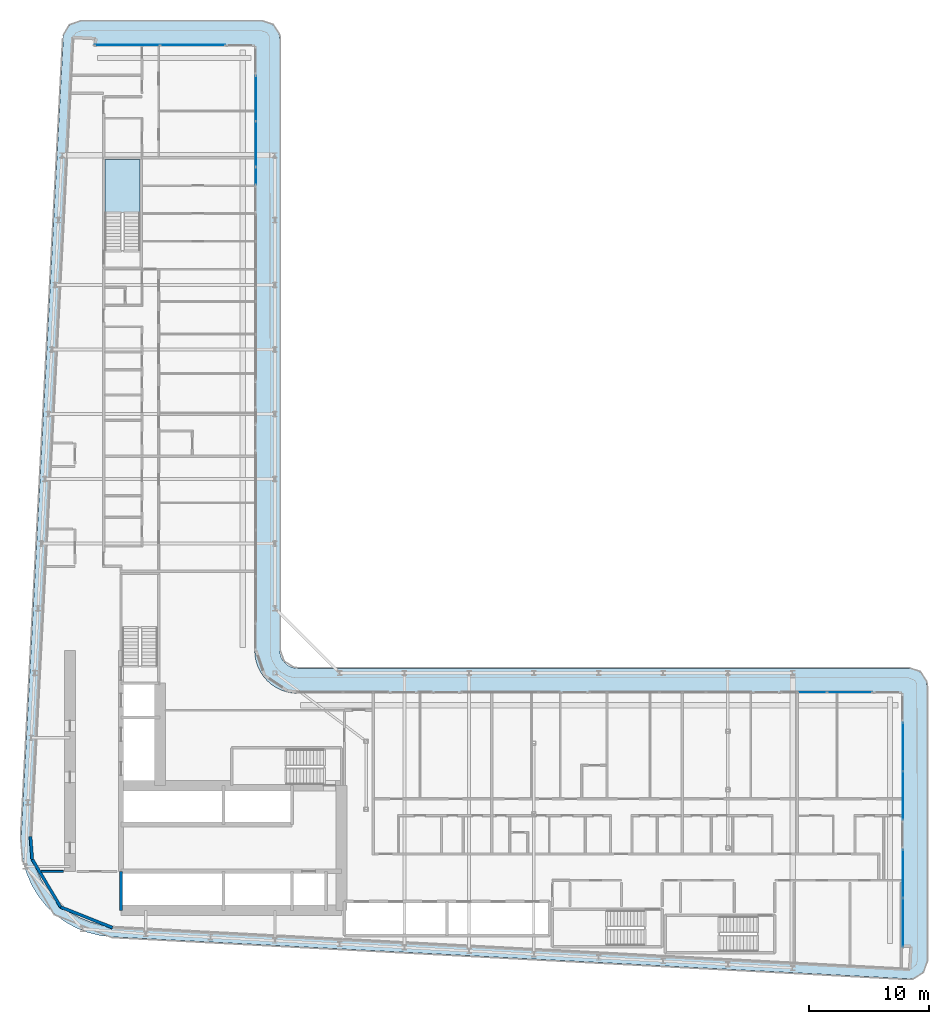
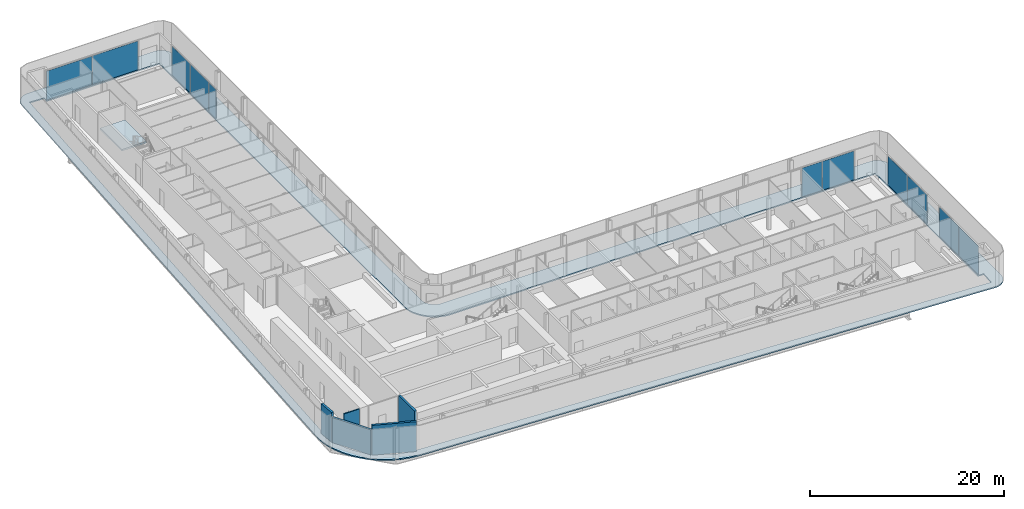
# One storey, part 12 of 28: 11 plates, 5 walls, 2 slabs, 7 elements without a shape of their own.
"""IFC4 building model written with IfcOpenShell, lengths in metres."""

import ifcopenshell
import ifcopenshell.guid

model = None  # the IFC model being written
_history = None  # IfcOwnerHistory: only IFC2X3 demands one
_inside = {}  # id of a spatial element -> (the spatial element, [elements in it])
_under = {}  # id of a project, library or spatial element -> (it, [spatial elements below it])
_declared = {}  # id of a project -> (the project, [libraries it declares])
_typed = {}  # id of a type object -> (the type object, [elements of that type])
_made_of = {}  # id of a material, layer set ... -> (it, [elements and type objects made of it])


def new_model(schema):
    """Start an empty IFC model of exactly this schema.

    Asked for "IFC4X3", IfcOpenShell would pick the latest addendum, in which some entities
    have other attributes; the version numbers below select the first issue.
    IFC2X3 requires an IfcOwnerHistory on every rooted entity: one is made here for all.
    """
    global model, _history
    if schema == "IFC4X3":
        model = ifcopenshell.file(schema_version=(4, 3, 0, 0))
    else:
        model = ifcopenshell.file(schema=schema)
    _inside.clear()
    _under.clear()
    _declared.clear()
    _typed.clear()
    _made_of.clear()
    _history = None
    if model.schema == "IFC2X3":
        org = make("IfcOrganization", Name="unknown")
        user = make(
            "IfcPersonAndOrganization",
            ThePerson=make("IfcPerson", FamilyName="unknown"),
            TheOrganization=org,
        )
        app = make(
            "IfcApplication",
            ApplicationDeveloper=org,
            Version="unknown",
            ApplicationFullName="unknown",
            ApplicationIdentifier="unknown",
        )
        _history = make(
            "IfcOwnerHistory",
            OwningUser=user,
            OwningApplication=app,
            ChangeAction="ADDED",
            CreationDate=0,
        )
    return model


def make(cls, **values):
    """One entity of the class cls with the attributes given. An attribute that is None is left unset."""
    return model.create_entity(
        cls, **{name: value for name, value in values.items() if value is not None}
    )


def rooted(cls, **values):
    """An entity with a GlobalId (a new one), such as an element, a storey or a relation."""
    return make(cls, GlobalId=ifcopenshell.guid.new(), OwnerHistory=_history, **values)


def si_unit(unit_type, name, prefix=None):
    """IfcSIUnit, for example si_unit("LENGTHUNIT", "METRE", prefix="MILLI")."""
    return make("IfcSIUnit", UnitType=unit_type, Prefix=prefix, Name=name)


def assignment(units):
    """IfcUnitAssignment: the units of a project."""
    return None if units is None else make("IfcUnitAssignment", Units=units)


def point(xyz):
    """IfcCartesianPoint."""
    return None if xyz is None else make("IfcCartesianPoint", Coordinates=xyz)


def direction(xyz):
    """IfcDirection."""
    return None if xyz is None else make("IfcDirection", DirectionRatios=xyz)


def frame(location, z_axis=None, x_axis=None):
    """IfcAxis2Placement3D, a coordinate frame: its origin and axes. An axis left out is left unset."""
    return make(
        "IfcAxis2Placement3D",
        Location=point(location),
        Axis=direction(z_axis),
        RefDirection=direction(x_axis),
    )


def frame_2d(location, x_axis=None):
    """IfcAxis2Placement2D, a coordinate frame in the plane: its origin and x axis."""
    return make(
        "IfcAxis2Placement2D", Location=point(location), RefDirection=direction(x_axis)
    )


def origin():
    """The frame at (0, 0, 0) with its axes left unset."""
    return frame((0.0, 0.0, 0.0))


def origin_2d():
    """The frame at (0, 0) in the plane with its x axis left unset."""
    return frame_2d((0.0, 0.0))


def place(relative_to, where):
    """IfcLocalPlacement: puts the frame where relative to a parent placement (None: the world)."""
    return make(
        "IfcLocalPlacement", PlacementRelTo=relative_to, RelativePlacement=where
    )


def context(
    kind, dimensions, precision=None, world=None, true_north=None, identifier=None
):
    """IfcGeometricRepresentationContext, for example the 3D "Model" context."""
    return make(
        "IfcGeometricRepresentationContext",
        ContextIdentifier=identifier,
        ContextType=kind,
        CoordinateSpaceDimension=dimensions,
        Precision=precision,
        WorldCoordinateSystem=world,
        TrueNorth=true_north,
    )


def subcontext(parent, identifier, kind, view, scale=None):
    """IfcGeometricRepresentationSubContext, for example "Body" below "Model"."""
    return make(
        "IfcGeometricRepresentationSubContext",
        ContextIdentifier=identifier,
        ContextType=kind,
        ParentContext=parent,
        TargetScale=scale,
        TargetView=view,
    )


def project(units=None, contexts=None):
    """IfcProject with its units and contexts."""
    return rooted(
        "IfcProject",
        Name="project",
        RepresentationContexts=contexts,
        UnitsInContext=assignment(units),
    )


def spatial(cls, under=None, at=None, **own):
    """A site, building, storey or space (cls), placed at a placement, below another one or the project."""
    s = rooted(cls, ObjectPlacement=at, **own)
    if under is not None:
        _under.setdefault(under.id(), (under, []))[1].append(s)
    return s


def polyline(points):
    """IfcPolyline through the points."""
    return make("IfcPolyline", Points=[point(p) for p in points])


def profile(cls, at=None, kind="AREA", **sizes):
    """A parametric profile (cls). Its sizes go by their IFC names, for example OverallWidth=200.0."""
    return make(cls, ProfileType=kind, Position=at, **sizes)


def rectangle(**sizes):
    """IfcRectangleProfileDef."""
    return profile("IfcRectangleProfileDef", **sizes)


def outline(outer, holes=None, kind="AREA"):
    """IfcArbitraryClosedProfileDef: a profile drawn as a closed curve; with holes, ...WithVoids."""
    if holes is None:
        return make("IfcArbitraryClosedProfileDef", ProfileType=kind, OuterCurve=outer)
    return make(
        "IfcArbitraryProfileDefWithVoids",
        ProfileType=kind,
        OuterCurve=outer,
        InnerCurves=holes,
    )


def extrude(swept, where, along, depth):
    """IfcExtrudedAreaSolid: the profile swept, set in the frame where, extruded along a direction by depth."""
    return make(
        "IfcExtrudedAreaSolid",
        SweptArea=swept,
        Position=where,
        ExtrudedDirection=direction(along),
        Depth=depth,
    )


def shape(context_of_items, identifier, shape_type, items):
    """IfcShapeRepresentation: the items that make up one representation, for example the "Body"."""
    return make(
        "IfcShapeRepresentation",
        ContextOfItems=context_of_items,
        RepresentationIdentifier=identifier,
        RepresentationType=shape_type,
        Items=items,
    )


def material(Name=None, Category=None):
    """IfcMaterial."""
    return make("IfcMaterial", Name=Name, Category=Category)


def layer(
    of_material, thickness, ventilated=None, Name=None, Category=None, Priority=None
):
    """IfcMaterialLayer: one layer of a wall or slab, of a material (None: an air gap)."""
    return make(
        "IfcMaterialLayer",
        Material=of_material,
        LayerThickness=thickness,
        IsVentilated=ventilated,
        Name=Name,
        Category=Category,
        Priority=Priority,
    )


def layer_set(layers, Name=None):
    """IfcMaterialLayerSet."""
    return make("IfcMaterialLayerSet", MaterialLayers=layers, LayerSetName=Name)


def made_of(thing, what):
    """Note that an element or type object is made of a material, layer set ...; save() writes the relation."""
    if what is not None:
        _made_of.setdefault(what.id(), (what, []))[1].append(thing)
    return thing


def type_object(cls, material=None, **own):
    """A type object (cls), such as IfcWallType, which elements share."""
    return made_of(rooted(cls, **own), material)


def element(
    cls,
    number,
    at=None,
    inside=None,
    cuts=None,
    type_object=None,
    material=None,
    context=None,
    identifier="Body",
    shape_type=None,
    held_by="IfcProductDefinitionShape",
    body=None,
    shapes=None,
    **own,
):
    """One element of the class cls, such as IfcWall. Its Tag is "e" and its number.

    at: its placement. inside: the storey or other place that contains it. cuts: it is an
    opening in that element (IfcRelVoidsElement). A single representation is given by context,
    identifier, shape_type and body (its items); several are given by shapes. held_by: the class
    of the entity that holds the representations. save() writes the other relations.
    """
    e = rooted(cls, Tag="e%d" % number, ObjectPlacement=at, **own)
    if body is not None:
        shapes = [shape(context, identifier, shape_type, body)]
    if shapes is not None:
        e.Representation = make(held_by, Representations=shapes)
    if inside is not None:
        _inside.setdefault(inside.id(), (inside, []))[1].append(e)
    if cuts is not None:
        rooted(
            "IfcRelVoidsElement", RelatingBuildingElement=cuts, RelatedOpeningElement=e
        )
    if type_object is not None:
        _typed.setdefault(type_object.id(), (type_object, []))[1].append(e)
    return made_of(e, material)


def aggregate(whole, parts):
    """IfcRelAggregates: a whole, such as a stair, and the parts it consists of."""
    return rooted("IfcRelAggregates", RelatingObject=whole, RelatedObjects=parts)


def save(model, path):
    """Write the relations noted so far, then the file.

    IfcRelAggregates (storeys below a building ...), IfcRelContainedInSpatialStructure (elements
    in a storey), IfcRelDefinesByType, IfcRelAssociatesMaterial and IfcRelDeclares: one each for
    every whole, place, type object, material and project.
    """
    for whole, parts in _under.values():
        aggregate(whole, parts)
    for where, things in _inside.values():
        rooted(
            "IfcRelContainedInSpatialStructure",
            RelatedElements=things,
            RelatingStructure=where,
        )
    for kind, things in _typed.values():
        rooted("IfcRelDefinesByType", RelatedObjects=things, RelatingType=kind)
    for what, things in _made_of.values():
        rooted("IfcRelAssociatesMaterial", RelatedObjects=things, RelatingMaterial=what)
    for by, libraries in _declared.values():
        rooted("IfcRelDeclares", RelatingContext=by, RelatedDefinitions=libraries)
    model.write(path)


model = new_model("IFC4")

# Units and contexts
model_context = context("Model", 3, precision=1e-05, world=origin(), true_north=direction((0.0, 1.0)))
body_context = subcontext(model_context, "Body", "Model", "MODEL_VIEW")
ifc_project = project(units=[si_unit("LENGTHUNIT", "METRE"), si_unit("AREAUNIT", "SQUARE_METRE"), si_unit("VOLUMEUNIT", "CUBIC_METRE"), si_unit("PLANEANGLEUNIT", "RADIAN"), si_unit("MASSUNIT", "GRAM", prefix="KILO")], contexts=[model_context])

# Site, building, storey
site_placement = place(None, origin())
site = spatial("IfcSite", under=ifc_project, at=site_placement, CompositionType="ELEMENT")
building_placement = place(site_placement, origin())
building = spatial("IfcBuilding", under=site, at=building_placement, Name="Kheshtan School and Residences Tower", CompositionType="ELEMENT")
storey_placement = place(building_placement, frame((0.0, 0.0, 129.199951171875)))
storey = spatial("IfcBuildingStorey", under=building, at=storey_placement, Name="L30", CompositionType="ELEMENT", Elevation=129.199951171875)

# Curtain wall, plates
ifc_material_1 = material(Name="Clear low-e glass in thermally broken aluminium frame", Category="aluminium")
ifc_layer_1 = layer(ifc_material_1, 0.199951171875)
ifc_layer_set_1 = layer_set([ifc_layer_1], Name="Curtain wall CW-L")
curtain_wall_type = type_object("IfcCurtainWallType", Name="Curtain wall CW-L", PredefinedType="NOTDEFINED", material=ifc_layer_set_1)
curtain_wall_1_placement = place(storey_placement, origin())
curtain_wall_1 = element("IfcCurtainWall", 1, at=curtain_wall_1_placement, inside=storey, type_object=curtain_wall_type, Name="Curtain wall CWL7", PredefinedType="NOTDEFINED")
ifc_layer_2 = layer(ifc_material_1, 0.031982421875)
ifc_layer_set_2 = layer_set([ifc_layer_2], Name="CW-L glass panel")
plate_type = type_object("IfcPlateType", Name="CW-L glass panel", PredefinedType="CURTAIN_PANEL", material=ifc_layer_set_2)
plate_1_placement = place(storey_placement, frame((35.259033203125, 98.0, 0.0), z_axis=(0.0, 0.0, 1.0), x_axis=(1.0, 0.0, 0.0)))
plate_1 = element("IfcPlate", 2, at=plate_1_placement, type_object=plate_type, Name="CWL7 panel 1.1", PredefinedType="CURTAIN_PANEL", context=body_context, shape_type="SweptSolid", body=[
    extrude(rectangle(XDim=5.4140625, YDim=0.031982421875, at=origin_2d()), origin(), (0.0, 0.0, 1.0), 3.6298828125),
])
plate_2_placement = place(storey_placement, frame((40.73291015625, 98.0, 0.0), z_axis=(0.0, 0.0, 1.0), x_axis=(1.0, 0.0, 0.0)))
plate_2 = element("IfcPlate", 3, at=plate_2_placement, type_object=plate_type, Name="CWL7 panel 2.1", PredefinedType="CURTAIN_PANEL", context=body_context, shape_type="SweptSolid", body=[
    extrude(rectangle(XDim=5.4140625, YDim=0.031982421875, at=origin_2d()), origin(), (0.0, 0.0, 1.0), 3.6298828125),
])
aggregate(curtain_wall_1, [plate_1, plate_2])

curtain_wall_2_placement = place(storey_placement, origin())
curtain_wall_2 = element("IfcCurtainWall", 4, at=curtain_wall_2_placement, inside=storey, type_object=curtain_wall_type, Name="Curtain wall CWL8", PredefinedType="NOTDEFINED")
plate_3_placement = place(storey_placement, frame((46.0, 93.5615234375, 0.0), z_axis=(0.0, 0.0, 1.0), x_axis=(0.0, -1.0, 0.0)))
plate_3 = element("IfcPlate", 5, at=plate_3_placement, type_object=plate_type, Name="CWL8 panel 1.1", PredefinedType="CURTAIN_PANEL", context=body_context, shape_type="SweptSolid", body=[
    extrude(rectangle(XDim=3.757080078125, YDim=0.031982421875, at=origin_2d()), origin(), (0.0, 0.0, 1.0), 3.6298828125),
])
plate_4_placement = place(storey_placement, frame((46.0, 89.744384765625, 0.0), z_axis=(0.0, 0.0, 1.0), x_axis=(0.0, -1.0, 0.0)))
plate_4 = element("IfcPlate", 6, at=plate_4_placement, type_object=plate_type, Name="CWL8 panel 2.1", PredefinedType="CURTAIN_PANEL", context=body_context, shape_type="SweptSolid", body=[
    extrude(rectangle(XDim=3.757080078125, YDim=0.031982421875, at=origin_2d()), origin(), (0.0, 0.0, 1.0), 3.6298828125),
])
aggregate(curtain_wall_2, [plate_3, plate_4])

# Curtain wall, plate
curtain_wall_3_placement = place(storey_placement, origin())
curtain_wall_3 = element("IfcCurtainWall", 7, at=curtain_wall_3_placement, inside=storey, type_object=curtain_wall_type, Name="Curtain wall CWL8a", PredefinedType="NOTDEFINED")
plate_5_placement = place(storey_placement, frame((46.0, 87.0859375, 0.0), z_axis=(0.0, 0.0, 1.0), x_axis=(0.0, -1.0, 0.0)))
plate_5 = element("IfcPlate", 8, at=plate_5_placement, type_object=plate_type, Name="CWL8a panel 1.1", PredefinedType="CURTAIN_PANEL", context=body_context, shape_type="SweptSolid", body=[
    extrude(rectangle(XDim=1.43994140625, YDim=0.031982421875, at=origin_2d()), origin(), (0.0, 0.0, 1.0), 3.6298828125),
])
aggregate(curtain_wall_3, [plate_5])

# Curtain wall, plates
curtain_wall_4_placement = place(storey_placement, origin())
curtain_wall_4 = element("IfcCurtainWall", 9, at=curtain_wall_4_placement, inside=storey, type_object=curtain_wall_type, Name="Curtain wall CWL12k", PredefinedType="NOTDEFINED")
plate_6_placement = place(storey_placement, frame((92.426513671875, 44.0, 0.0), z_axis=(0.0, 0.0, 1.0), x_axis=(1.0, 0.0, 0.0)))
plate_6 = element("IfcPlate", 10, at=plate_6_placement, type_object=plate_type, Name="CWL12k panel 2.1", PredefinedType="CURTAIN_PANEL", context=body_context, shape_type="SweptSolid", body=[
    extrude(rectangle(XDim=2.39306640625, YDim=0.031982421875, at=origin_2d()), origin(), (0.0, 0.0, 1.0), 3.6298828125),
])
plate_7_placement = place(storey_placement, frame((95.5615234375, 44.0, 0.0), z_axis=(0.0, 0.0, 1.0), x_axis=(1.0, 0.0, 0.0)))
plate_7 = element("IfcPlate", 11, at=plate_7_placement, type_object=plate_type, Name="CWL12k panel 3.1", PredefinedType="CURTAIN_PANEL", context=body_context, shape_type="SweptSolid", body=[
    extrude(rectangle(XDim=3.757080078125, YDim=0.031982421875, at=origin_2d()), origin(), (0.0, 0.0, 1.0), 3.6298828125),
])
aggregate(curtain_wall_4, [plate_6, plate_7])

curtain_wall_5_placement = place(storey_placement, origin())
curtain_wall_5 = element("IfcCurtainWall", 12, at=curtain_wall_5_placement, inside=storey, type_object=curtain_wall_type, Name="Curtain wall CWL13b", PredefinedType="NOTDEFINED")
plate_8_placement = place(storey_placement, frame((100.0, 39.436767578125, 0.0), z_axis=(0.0, 0.0, 1.0), x_axis=(0.0, -1.0, 0.0)))
plate_8 = element("IfcPlate", 13, at=plate_8_placement, type_object=plate_type, Name="CWL13b panel 1.1", PredefinedType="CURTAIN_PANEL", context=body_context, shape_type="SweptSolid", body=[
    extrude(rectangle(XDim=4.006591796875, YDim=0.031982421875, at=origin_2d()), origin(), (0.0, 0.0, 1.0), 3.6298828125),
])
plate_9_placement = place(storey_placement, frame((100.0, 35.370361328125, 0.0), z_axis=(0.0, 0.0, 1.0), x_axis=(0.0, -1.0, 0.0)))
plate_9 = element("IfcPlate", 14, at=plate_9_placement, type_object=plate_type, Name="CWL13b panel 2.1", PredefinedType="CURTAIN_PANEL", context=body_context, shape_type="SweptSolid", body=[
    extrude(rectangle(XDim=4.006591796875, YDim=0.031982421875, at=origin_2d()), origin(), (0.0, 0.0, 1.0), 3.6298828125),
])
aggregate(curtain_wall_5, [plate_8, plate_9])

curtain_wall_6_placement = place(storey_placement, origin())
curtain_wall_6 = element("IfcCurtainWall", 15, at=curtain_wall_6_placement, inside=storey, type_object=curtain_wall_type, Name="Curtain wall CWL13b", PredefinedType="NOTDEFINED")
plate_10_placement = place(storey_placement, frame((100.0, 28.84375, 0.0), z_axis=(0.0, 0.0, 1.0), x_axis=(0.0, -1.0, 0.0)))
plate_10 = element("IfcPlate", 16, at=plate_10_placement, type_object=plate_type, Name="CWL13b panel 1.1", PredefinedType="CURTAIN_PANEL", context=body_context, shape_type="SweptSolid", body=[
    extrude(rectangle(XDim=4.006591796875, YDim=0.031982421875, at=origin_2d()), origin(), (0.0, 0.0, 1.0), 3.6298828125),
])
plate_11_placement = place(storey_placement, frame((100.0, 24.77734375, 0.0), z_axis=(0.0, 0.0, 1.0), x_axis=(0.0, -1.0, 0.0)))
plate_11 = element("IfcPlate", 17, at=plate_11_placement, type_object=plate_type, Name="CWL13b panel 2.1", PredefinedType="CURTAIN_PANEL", context=body_context, shape_type="SweptSolid", body=[
    extrude(rectangle(XDim=4.006591796875, YDim=0.031982421875, at=origin_2d()), origin(), (0.0, 0.0, 1.0), 3.6298828125),
])
aggregate(curtain_wall_6, [plate_10, plate_11])

# Slab
ifc_material_2 = material(Name="Concrete C40/50", Category="concrete")
ifc_layer_3 = layer(ifc_material_2, 0.14990234375)
ifc_layer_set_3 = layer_set([ifc_layer_3], Name="Loggia balcony slab 150 Concrete C40/50")
slab_type_1 = type_object("IfcSlabType", Name="Loggia balcony slab 150 Concrete C40/50", PredefinedType="FLOOR", material=ifc_layer_set_3)
slab_1_placement = place(storey_placement, frame((0.0, 0.0, -0.14990234375)))
element("IfcSlab", 18, at=slab_1_placement, inside=storey, type_object=slab_type_1, Name="Loggia balcony slab L30", PredefinedType="FLOOR", context=body_context, shape_type="SweptSolid", body=[
    extrude(outline(polyline([(28.4580078125, 26.222900390625), (28.45703125, 26.222900390625), (28.45703125, 26.22412109375), (28.4560546875, 26.22412109375), (27.81494140625, 27.0390625), (27.281005859375, 27.93798828125), (26.867919921875, 28.89990234375), (26.583984375, 29.89990234375), (26.583984375, 29.906982421875), (26.43408203125, 30.943115234375), (26.419921875, 31.989013671875), (29.925048828125, 98.5791015625), (29.930908203125, 98.626953125), (29.930908203125, 98.6279296875), (29.929931640625, 98.6279296875), (29.929931640625, 98.62890625), (29.928955078125, 98.62890625), (29.928955078125, 98.6298828125), (29.927978515625, 98.6298828125), (29.927978515625, 98.631103515625), (29.927001953125, 98.631103515625), (29.927001953125, 98.632080078125), (29.927001953125, 98.633056640625), (29.945068359375, 98.781005859375), (29.945068359375, 98.783935546875), (29.945068359375, 98.784912109375), (29.946044921875, 98.784912109375), (29.946044921875, 98.785888671875), (29.947021484375, 98.785888671875), (29.947021484375, 98.787109375), (29.947998046875, 98.787109375), (29.948974609375, 98.787109375), (29.948974609375, 98.7880859375), (29.949951171875, 98.7880859375), (29.949951171875, 98.7890625), (29.949951171875, 98.791015625), (30.0029296875, 98.98388671875), (30.083984375, 99.175048828125), (30.18896484375, 99.35302734375), (30.31103515625, 99.507080078125), (30.31201171875, 99.507080078125), (30.31201171875, 99.508056640625), (30.31298828125, 99.508056640625), (30.31298828125, 99.509033203125), (30.31396484375, 99.509033203125), (30.31396484375, 99.510009765625), (30.31494140625, 99.510009765625), (30.31494140625, 99.510986328125), (30.31591796875, 99.510986328125), (30.31591796875, 99.511962890625), (30.31689453125, 99.511962890625), (30.31689453125, 99.512939453125), (30.318115234375, 99.512939453125), (30.320068359375, 99.512939453125), (30.321044921875, 99.512939453125), (30.321044921875, 99.513916015625), (30.468017578125, 99.656982421875), (30.468994140625, 99.656982421875), (30.468994140625, 99.657958984375), (30.469970703125, 99.657958984375), (30.469970703125, 99.658935546875), (30.470947265625, 99.658935546875), (30.470947265625, 99.659912109375), (30.471923828125, 99.659912109375), (30.471923828125, 99.660888671875), (30.472900390625, 99.660888671875), (30.472900390625, 99.662109375), (30.47412109375, 99.662109375), (30.47412109375, 99.6630859375), (30.47509765625, 99.6630859375), (30.47509765625, 99.6640625), (30.635986328125, 99.777099609375), (30.820068359375, 99.873046875), (31.007080078125, 99.943115234375), (31.013916015625, 99.943115234375), (31.217041015625, 99.986083984375), (31.423095703125, 100.0), (46.5, 100.0), (46.696044921875, 99.987060546875), (46.887939453125, 99.948974609375), (46.89501953125, 99.948974609375), (47.073974609375, 99.885986328125), (47.243896484375, 99.801025390625), (47.2451171875, 99.801025390625), (47.2470703125, 99.801025390625), (47.248046875, 99.801025390625), (47.248046875, 99.802001953125), (47.2490234375, 99.802001953125), (47.2490234375, 99.802978515625), (47.25, 99.802978515625), (47.2529296875, 99.802978515625), (47.25390625, 99.802978515625), (47.25390625, 99.802001953125), (47.2548828125, 99.802001953125), (47.2548828125, 99.801025390625), (47.256103515625, 99.801025390625), (47.256103515625, 99.800048828125), (47.257080078125, 99.800048828125), (47.257080078125, 99.799072265625), (47.258056640625, 99.799072265625), (47.258056640625, 99.798095703125), (47.412109375, 99.696044921875), (47.4130859375, 99.696044921875), (47.4130859375, 99.695068359375), (47.4140625, 99.695068359375), (47.4140625, 99.694091796875), (47.4140625, 99.68994140625), (47.4140625, 99.68896484375), (47.4150390625, 99.68896484375), (47.4150390625, 99.68798828125), (47.416015625, 99.68798828125), (47.416015625, 99.68701171875), (47.4169921875, 99.68701171875), (47.4169921875, 99.68603515625), (47.554931640625, 99.568115234375), (47.554931640625, 99.56689453125), (47.555908203125, 99.56689453125), (47.555908203125, 99.56591796875), (47.556884765625, 99.56591796875), (47.556884765625, 99.56494140625), (47.55810546875, 99.56494140625), (47.55810546875, 99.56396484375), (47.55908203125, 99.56396484375), (47.55908203125, 99.56298828125), (47.56005859375, 99.56298828125), (47.56005859375, 99.56201171875), (47.56103515625, 99.56201171875), (47.56201171875, 99.56103515625), (47.56201171875, 99.56005859375), (47.56298828125, 99.56005859375), (47.56298828125, 99.55908203125), (47.56396484375, 99.55908203125), (47.56396484375, 99.55810546875), (47.56494140625, 99.55810546875), (47.56494140625, 99.556884765625), (47.56591796875, 99.556884765625), (47.56591796875, 99.555908203125), (47.56689453125, 99.555908203125), (47.56689453125, 99.554931640625), (47.568115234375, 99.554931640625), (47.68505859375, 99.41796875), (47.68603515625, 99.41796875), (47.68603515625, 99.4169921875), (47.68701171875, 99.4169921875), (47.68701171875, 99.416015625), (47.68798828125, 99.416015625), (47.68798828125, 99.4150390625), (47.68896484375, 99.4150390625), (47.68896484375, 99.4140625), (47.68994140625, 99.4140625), (47.694091796875, 99.4140625), (47.695068359375, 99.4140625), (47.695068359375, 99.4130859375), (47.696044921875, 99.4130859375), (47.696044921875, 99.412109375), (47.797119140625, 99.259033203125), (47.798095703125, 99.259033203125), (47.798095703125, 99.258056640625), (47.799072265625, 99.258056640625), (47.799072265625, 99.257080078125), (47.800048828125, 99.257080078125), (47.800048828125, 99.256103515625), (47.801025390625, 99.256103515625), (47.801025390625, 99.2548828125), (47.802001953125, 99.2548828125), (47.802001953125, 99.25390625), (47.802978515625, 99.25390625), (47.802978515625, 99.2529296875), (47.802978515625, 99.25), (47.802978515625, 99.2490234375), (47.802001953125, 99.2490234375), (47.802001953125, 99.248046875), (47.801025390625, 99.248046875), (47.801025390625, 99.2470703125), (47.801025390625, 99.243896484375), (47.801025390625, 99.242919921875), (47.885986328125, 99.073974609375), (47.948974609375, 98.89501953125), (47.948974609375, 98.887939453125), (47.987060546875, 98.696044921875), (48.0, 98.5), (48.0, 47.5), (48.012939453125, 47.303955078125), (48.051025390625, 47.113037109375), (48.051025390625, 47.10693359375), (48.051025390625, 47.10595703125), (48.114013671875, 46.926025390625), (48.200927734375, 46.75), (48.31005859375, 46.5869140625), (48.431884765625, 46.444091796875), (48.43310546875, 46.444091796875), (48.43310546875, 46.443115234375), (48.43408203125, 46.443115234375), (48.43408203125, 46.44189453125), (48.43505859375, 46.44189453125), (48.43505859375, 46.44091796875), (48.43603515625, 46.44091796875), (48.43603515625, 46.43994140625), (48.43701171875, 46.43994140625), (48.43701171875, 46.43896484375), (48.43798828125, 46.43896484375), (48.43896484375, 46.43798828125), (48.43896484375, 46.43701171875), (48.43994140625, 46.43701171875), (48.43994140625, 46.43603515625), (48.44091796875, 46.43603515625), (48.44091796875, 46.43505859375), (48.44189453125, 46.43505859375), (48.44189453125, 46.43408203125), (48.443115234375, 46.43408203125), (48.443115234375, 46.43310546875), (48.444091796875, 46.43310546875), (48.444091796875, 46.431884765625), (48.5869140625, 46.31005859375), (48.75, 46.200927734375), (48.926025390625, 46.114013671875), (49.10595703125, 46.051025390625), (49.10693359375, 46.051025390625), (49.113037109375, 46.051025390625), (49.303955078125, 46.012939453125), (49.5, 46.0), (100.5, 46.0), (100.696044921875, 45.987060546875), (100.887939453125, 45.948974609375), (100.89501953125, 45.948974609375), (101.073974609375, 45.885986328125), (101.241943359375, 45.801025390625), (101.242919921875, 45.801025390625), (101.2470703125, 45.801025390625), (101.248046875, 45.801025390625), (101.248046875, 45.802001953125), (101.2490234375, 45.802001953125), (101.2490234375, 45.802978515625), (101.25, 45.802978515625), (101.2529296875, 45.802978515625), (101.25390625, 45.802978515625), (101.25390625, 45.802001953125), (101.2548828125, 45.802001953125), (101.2548828125, 45.801025390625), (101.256103515625, 45.801025390625), (101.256103515625, 45.800048828125), (101.257080078125, 45.800048828125), (101.257080078125, 45.799072265625), (101.258056640625, 45.799072265625), (101.258056640625, 45.798095703125), (101.259033203125, 45.798095703125), (101.259033203125, 45.797119140625), (101.260009765625, 45.797119140625), (101.260009765625, 45.7958984375), (101.412109375, 45.696044921875), (101.4130859375, 45.696044921875), (101.4130859375, 45.695068359375), (101.4140625, 45.695068359375), (101.4140625, 45.694091796875), (101.4140625, 45.68994140625), (101.4140625, 45.68896484375), (101.4150390625, 45.68896484375), (101.4150390625, 45.68798828125), (101.416015625, 45.68798828125), (101.416015625, 45.68701171875), (101.4169921875, 45.68701171875), (101.4169921875, 45.68603515625), (101.41796875, 45.68603515625), (101.41796875, 45.68505859375), (101.4189453125, 45.68505859375), (101.4189453125, 45.68408203125), (101.554931640625, 45.568115234375), (101.554931640625, 45.56689453125), (101.555908203125, 45.56689453125), (101.555908203125, 45.56591796875), (101.556884765625, 45.56591796875), (101.556884765625, 45.56494140625), (101.55810546875, 45.56494140625), (101.55810546875, 45.56396484375), (101.55908203125, 45.56396484375), (101.55908203125, 45.56298828125), (101.56005859375, 45.56298828125), (101.56005859375, 45.56201171875), (101.56103515625, 45.56201171875), (101.56201171875, 45.56103515625), (101.56201171875, 45.56005859375), (101.56298828125, 45.56005859375), (101.56298828125, 45.55908203125), (101.56396484375, 45.55908203125), (101.56396484375, 45.55810546875), (101.56494140625, 45.55810546875), (101.56494140625, 45.556884765625), (101.56591796875, 45.556884765625), (101.56591796875, 45.555908203125), (101.56689453125, 45.555908203125), (101.56689453125, 45.554931640625), (101.568115234375, 45.554931640625), (101.681884765625, 45.4208984375), (101.68310546875, 45.4208984375), (101.68310546875, 45.419921875), (101.68408203125, 45.419921875), (101.68408203125, 45.4189453125), (101.68505859375, 45.4189453125), (101.68505859375, 45.41796875), (101.68603515625, 45.41796875), (101.68603515625, 45.4169921875), (101.68701171875, 45.4169921875), (101.68701171875, 45.416015625), (101.68798828125, 45.416015625), (101.68798828125, 45.4150390625), (101.68896484375, 45.4150390625), (101.68896484375, 45.4140625), (101.68994140625, 45.4140625), (101.694091796875, 45.4140625), (101.695068359375, 45.4140625), (101.695068359375, 45.4130859375), (101.696044921875, 45.4130859375), (101.696044921875, 45.412109375), (101.7939453125, 45.261962890625), (101.794921875, 45.261962890625), (101.794921875, 45.260986328125), (101.7958984375, 45.260986328125), (101.7958984375, 45.260009765625), (101.797119140625, 45.260009765625), (101.797119140625, 45.259033203125), (101.798095703125, 45.259033203125), (101.798095703125, 45.258056640625), (101.799072265625, 45.258056640625), (101.799072265625, 45.257080078125), (101.800048828125, 45.257080078125), (101.800048828125, 45.256103515625), (101.801025390625, 45.256103515625), (101.801025390625, 45.2548828125), (101.802001953125, 45.2548828125), (101.802001953125, 45.25390625), (101.802978515625, 45.25390625), (101.802978515625, 45.2529296875), (101.802978515625, 45.25), (101.802978515625, 45.2490234375), (101.802001953125, 45.2490234375), (101.802001953125, 45.248046875), (101.801025390625, 45.248046875), (101.801025390625, 45.2470703125), (101.801025390625, 45.240966796875), (101.801025390625, 45.239990234375), (101.885986328125, 45.073974609375), (101.948974609375, 44.89501953125), (101.948974609375, 44.887939453125), (101.987060546875, 44.696044921875), (102.0, 44.5), (102.0, 21.5810546875), (101.986083984375, 21.37890625), (101.945068359375, 21.179931640625), (101.945068359375, 21.173095703125), (101.8779296875, 20.989013671875), (101.785888671875, 20.80810546875), (101.6708984375, 20.64306640625), (101.6708984375, 20.64208984375), (101.6708984375, 20.64111328125), (101.6708984375, 20.639892578125), (101.672119140625, 20.639892578125), (101.672119140625, 20.638916015625), (101.672119140625, 20.636962890625), (101.672119140625, 20.635986328125), (101.6708984375, 20.635986328125), (101.6708984375, 20.635009765625), (101.5380859375, 20.491943359375), (101.534912109375, 20.489013671875), (101.533935546875, 20.489013671875), (101.533935546875, 20.488037109375), (101.532958984375, 20.488037109375), (101.531005859375, 20.488037109375), (101.530029296875, 20.488037109375), (101.530029296875, 20.489013671875), (101.529052734375, 20.489013671875), (101.528076171875, 20.489013671875), (101.527099609375, 20.489013671875), (101.3759765625, 20.364013671875), (101.2041015625, 20.256103515625), (101.01904296875, 20.174072265625), (100.8310546875, 20.116943359375), (100.823974609375, 20.116943359375), (100.6240234375, 20.0859375), (100.4208984375, 20.0830078125), (33.989013671875, 23.580078125), (33.94189453125, 23.5859375), (33.94091796875, 23.5859375), (33.93994140625, 23.5859375), (33.93994140625, 23.5849609375), (33.93896484375, 23.5849609375), (33.93896484375, 23.583984375), (33.93798828125, 23.583984375), (33.93798828125, 23.5830078125), (33.93701171875, 23.5830078125), (33.93701171875, 23.58203125), (33.93603515625, 23.58203125), (33.93505859375, 23.58203125), (32.952880859375, 23.697998046875), (32.949951171875, 23.697998046875), (32.948974609375, 23.697998046875), (32.948974609375, 23.698974609375), (32.947998046875, 23.698974609375), (32.947998046875, 23.699951171875), (32.947021484375, 23.699951171875), (32.947021484375, 23.700927734375), (32.947021484375, 23.702880859375), (32.947021484375, 23.7041015625), (32.946044921875, 23.7041015625), (32.946044921875, 23.705078125), (32.945068359375, 23.705078125), (32.944091796875, 23.705078125), (31.93603515625, 23.9609375), (31.928955078125, 23.9609375), (30.964111328125, 24.34912109375), (30.051025390625, 24.860107421875), (29.218994140625, 25.47900390625), (29.218994140625, 25.47998046875), (29.218017578125, 25.47998046875), (29.218017578125, 25.48095703125), (29.217041015625, 25.48095703125), (29.217041015625, 25.48193359375), (29.216064453125, 25.48193359375), (29.216064453125, 25.48291015625), (29.215087890625, 25.48291015625), (29.215087890625, 25.48388671875), (29.214111328125, 25.48388671875), (29.214111328125, 25.485107421875), (29.212890625, 25.485107421875), (29.212890625, 25.486083984375), (29.2119140625, 25.486083984375), (28.466064453125, 26.217041015625), (28.466064453125, 26.218017578125), (28.465087890625, 26.218017578125), (28.462890625, 26.218017578125), (28.4619140625, 26.218017578125), (28.4619140625, 26.218994140625), (28.4609375, 26.218994140625), (28.4609375, 26.219970703125), (28.4599609375, 26.219970703125), (28.4599609375, 26.220947265625), (28.458984375, 26.220947265625), (28.458984375, 26.221923828125), (28.4580078125, 26.221923828125), (28.4580078125, 26.222900390625)]), holes=[polyline([(29.12890625, 26.824951171875), (29.12890625, 26.823974609375), (29.1298828125, 26.823974609375), (29.1298828125, 26.822998046875), (29.131103515625, 26.822998046875), (29.131103515625, 26.822021484375), (29.132080078125, 26.822021484375), (29.132080078125, 26.821044921875), (29.133056640625, 26.821044921875), (29.133056640625, 26.820068359375), (29.134033203125, 26.820068359375), (29.7958984375, 26.173095703125), (29.7958984375, 26.172119140625), (29.797119140625, 26.172119140625), (29.798095703125, 26.172119140625), (29.799072265625, 26.172119140625), (29.799072265625, 26.1708984375), (29.800048828125, 26.1708984375), (29.800048828125, 26.169921875), (29.801025390625, 26.169921875), (29.801025390625, 26.1689453125), (29.802001953125, 26.1689453125), (29.802001953125, 26.16796875), (29.802978515625, 26.16796875), (29.802978515625, 26.1669921875), (29.803955078125, 26.1669921875), (29.803955078125, 26.166015625), (30.541015625, 25.616943359375), (31.35205078125, 25.1630859375), (32.208984375, 24.819091796875), (32.2099609375, 24.819091796875), (32.216064453125, 24.819091796875), (33.114990234375, 24.590087890625), (34.06591796875, 24.47705078125), (100.43798828125, 20.98291015625), (100.465087890625, 20.98388671875), (100.466064453125, 20.98388671875), (100.467041015625, 20.98388671875), (100.467041015625, 20.985107421875), (100.468017578125, 20.985107421875), (100.468017578125, 20.986083984375), (100.468017578125, 20.987060546875), (100.55810546875, 22.676025390625), (100.55810546875, 22.677001953125), (100.55810546875, 22.677978515625), (100.556884765625, 22.677978515625), (100.556884765625, 22.678955078125), (100.555908203125, 22.678955078125), (100.554931640625, 22.678955078125), (99.90087890625, 22.714111328125), (99.89990234375, 22.714111328125), (99.89990234375, 22.715087890625), (99.89990234375, 43.89794921875), (99.89990234375, 43.89892578125), (99.89892578125, 43.89892578125), (99.89892578125, 43.89990234375), (99.89794921875, 43.89990234375), (49.429931640625, 43.89990234375), (49.030029296875, 43.927001953125), (48.569091796875, 44.01806640625), (48.56201171875, 44.01806640625), (48.1201171875, 44.169921875), (47.697021484375, 44.37890625), (47.30810546875, 44.638916015625), (46.95703125, 44.944091796875), (46.95703125, 44.945068359375), (46.9560546875, 44.945068359375), (46.9560546875, 44.946044921875), (46.955078125, 44.946044921875), (46.955078125, 44.947021484375), (46.9541015625, 44.947021484375), (46.9541015625, 44.947998046875), (46.952880859375, 44.947998046875), (46.952880859375, 44.948974609375), (46.951904296875, 44.948974609375), (46.951904296875, 44.949951171875), (46.951904296875, 44.950927734375), (46.950927734375, 44.950927734375), (46.950927734375, 44.951904296875), (46.949951171875, 44.951904296875), (46.948974609375, 44.951904296875), (46.948974609375, 44.952880859375), (46.947998046875, 44.952880859375), (46.947998046875, 44.9541015625), (46.947021484375, 44.9541015625), (46.947021484375, 44.955078125), (46.946044921875, 44.955078125), (46.946044921875, 44.9560546875), (46.945068359375, 44.9560546875), (46.945068359375, 44.95703125), (46.944091796875, 44.95703125), (46.638916015625, 45.30810546875), (46.37890625, 45.697021484375), (46.169921875, 46.1201171875), (46.01806640625, 46.56201171875), (46.01806640625, 46.569091796875), (45.927001953125, 47.030029296875), (45.89990234375, 47.429931640625), (45.89990234375, 97.89794921875), (45.89990234375, 97.89892578125), (45.89892578125, 97.89892578125), (45.89892578125, 97.89990234375), (45.89794921875, 97.89990234375), (32.492919921875, 97.89990234375), (32.491943359375, 97.89990234375), (32.52099609375, 98.43896484375), (32.52099609375, 98.43994140625), (32.52099609375, 98.44091796875), (32.52001953125, 98.44091796875), (32.52001953125, 98.44189453125), (32.51904296875, 98.44189453125), (32.51806640625, 98.44189453125), (30.8291015625, 98.531982421875), (30.827880859375, 98.531982421875), (30.826904296875, 98.531982421875), (30.826904296875, 98.531005859375), (30.825927734375, 98.531005859375), (30.825927734375, 98.530029296875), (30.825927734375, 98.529052734375), (30.822021484375, 98.5009765625), (27.320068359375, 31.970947265625), (27.3330078125, 31.013916015625), (27.466064453125, 30.093994140625), (27.466064453125, 30.087890625), (27.466064453125, 30.0869140625), (27.718017578125, 29.200927734375), (28.0849609375, 28.345947265625), (28.55908203125, 27.550048828125), (29.126953125, 26.825927734375), (29.1279296875, 26.825927734375), (29.1279296875, 26.824951171875), (29.12890625, 26.824951171875)])]), origin(), (0.0, 0.0, 1.0), 0.14990234375),
])

# Stair, slab
stair_type = type_object("IfcStairType", Name="Exit stair, half-turn", PredefinedType="HALF_TURN_STAIR", material=ifc_material_2)
stair_placement = place(storey_placement, origin())
stair = element("IfcStair", 19, at=stair_placement, inside=storey, type_object=stair_type, Name="L30 Protected Exit Stair ST3", PredefinedType="HALF_TURN_STAIR")
ifc_layer_4 = layer(ifc_material_2, 0.199951171875)
ifc_layer_set_4 = layer_set([ifc_layer_4], Name="Stair landing 200 Concrete C40/50")
slab_type_2 = type_object("IfcSlabType", Name="Stair landing 200 Concrete C40/50", PredefinedType="LANDING", material=ifc_layer_set_4)
slab_2_placement = place(storey_placement, frame((0.0, 0.0, 1.75)))
slab_2 = element("IfcSlab", 20, at=slab_2_placement, type_object=slab_type_2, Name="ST3 landing 1", PredefinedType="LANDING", context=body_context, shape_type="SweptSolid", body=[
    extrude(outline(polyline([(36.35009765625, 83.97998046875), (36.35009765625, 88.4599609375), (33.39990234375, 88.4599609375), (33.39990234375, 83.97998046875), (36.35009765625, 83.97998046875)])), origin(), (0.0, 0.0, 1.0), 0.199951171875),
])
aggregate(stair, [slab_2])

# Walls
ifc_material_3 = material(Name="Concrete C40/50 with ceramic cladding and mineral wool insulation", Category="concrete")
ifc_layer_5 = layer(ifc_material_3, 0.25)
ifc_layer_set_5 = layer_set([ifc_layer_5], Name="External wall 250 ceramic clad")
wall_type_1 = type_object("IfcWallType", Name="External wall 250 ceramic clad", PredefinedType="SOLIDWALL", material=ifc_layer_set_5)
wall_1_placement = place(storey_placement, frame((34.0390625, 24.35302734375, 0.0), z_axis=(0.0, 0.0, 1.0), x_axis=(-0.929352825399, 0.369192803184, 0.0)))
element("IfcWall", 21, at=wall_1_placement, inside=storey, type_object=wall_type_1, Name="External wall L30 1", PredefinedType="SOLIDWALL", context=body_context, shape_type="SweptSolid", body=[
    extrude(rectangle(XDim=4.656005859375, YDim=0.25, at=frame_2d((2.328125, 0.0))), origin(), (0.0, 0.0, 1.0), 3.75),
])
wall_2_placement = place(storey_placement, frame((29.7119140625, 26.072021484375, 0.0), z_axis=(0.0, 0.0, 1.0), x_axis=(-0.511028049012, 0.859564036662, 0.0)))
element("IfcWall", 22, at=wall_2_placement, inside=storey, type_object=wall_type_1, Name="External wall L30 2", PredefinedType="SOLIDWALL", context=body_context, shape_type="SweptSolid", body=[
    extrude(rectangle(XDim=4.633544921875, YDim=0.25, at=frame_2d((2.31689453125, 0.0))), origin(), (0.0, 0.0, 1.0), 3.14697265625),
])
wall_3_placement = place(storey_placement, frame((27.343994140625, 30.054931640625, 0.0), z_axis=(0.0, 0.0, 1.0), x_axis=(-0.077571675317, 0.99698677784, 0.0)))
element("IfcWall", 23, at=wall_3_placement, inside=storey, type_object=wall_type_1, Name="External wall L30 3", PredefinedType="SOLIDWALL", context=body_context, shape_type="SweptSolid", body=[
    extrude(rectangle(XDim=1.919921875, YDim=0.25, at=frame_2d((0.9599609375, 0.0))), origin(), (0.0, 0.0, 1.0), 3.75),
])
ifc_material_4 = material(Name="Fire-board shaft wall system")
ifc_layer_6 = layer(ifc_material_4, 0.14990234375)
ifc_layer_set_6 = layer_set([ifc_layer_6], Name="Service room wall 150")
wall_type_2 = type_object("IfcWallType", Name="Service room wall 150", PredefinedType="PARTITIONING", material=ifc_layer_set_6)
wall_4_placement = place(storey_placement, frame((28.089111328125, 29.050048828125, 0.0), z_axis=(0.0, 0.0, 1.0), x_axis=(1.0, 0.0, 0.0)))
element("IfcWall", 24, at=wall_4_placement, inside=storey, type_object=wall_type_2, Name="Service room wall", PredefinedType="PARTITIONING", context=body_context, shape_type="SweptSolid", body=[
    extrude(rectangle(XDim=1.8408203125, YDim=0.14990234375, at=frame_2d((0.92041015625, 0.0))), origin(), (0.0, 0.0, 1.0), 3.900146484375),
])
ifc_layer_7 = layer(ifc_material_4, 0.25)
ifc_layer_set_7 = layer_set([ifc_layer_7], Name="Shaft lining wall 250")
wall_type_3 = type_object("IfcWallType", Name="Shaft lining wall 250", PredefinedType="PARTITIONING", material=ifc_layer_set_7)
wall_5_placement = place(storey_placement, frame((34.75, 25.800048828125, 0.0), z_axis=(0.0, 0.0, 1.0), x_axis=(0.0, 1.0, 0.0)))
element("IfcWall", 25, at=wall_5_placement, inside=storey, type_object=wall_type_3, Name="Shaft lining wall", PredefinedType="PARTITIONING", context=body_context, shape_type="SweptSolid", body=[
    extrude(rectangle(XDim=3.25, YDim=0.25, at=frame_2d((1.625, 0.0))), origin(), (0.0, 0.0, 1.0), 3.900146484375),
])

save(model, "model.ifc")
